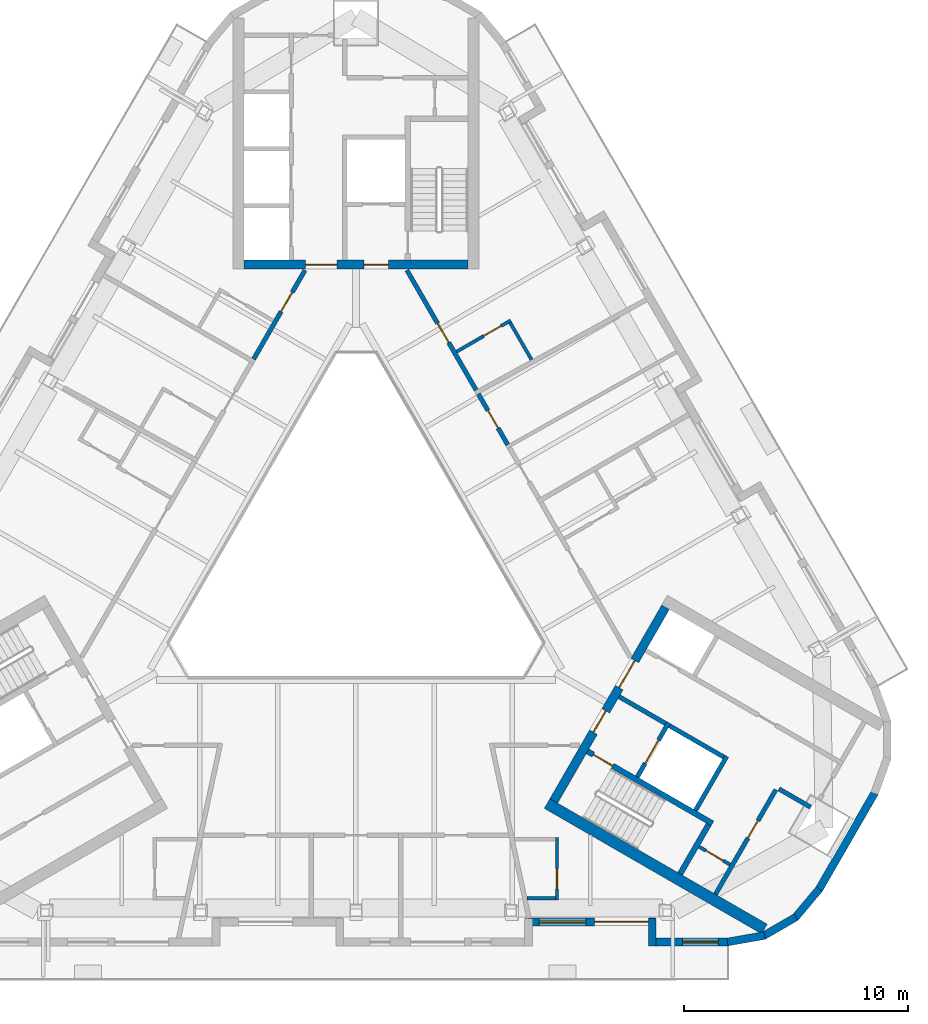
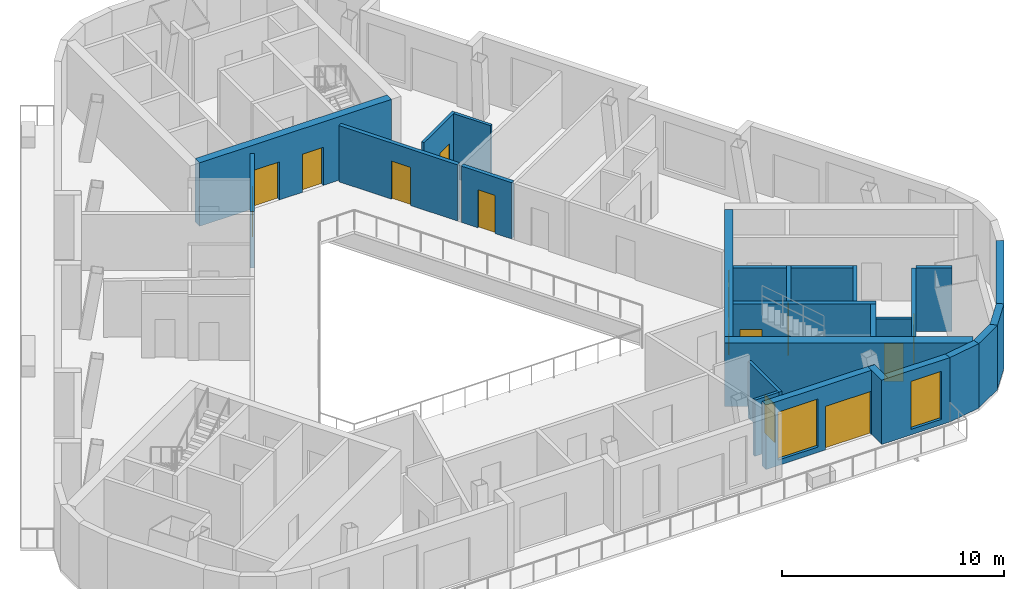
# One storey, part 5 of 13: 26 walls, 14 doors, 2 windows, 16 openings.
"""IFC4 building model written with IfcOpenShell, lengths in metres."""

from ifc_helpers import new_model, si_unit, direction, frame, frame_2d, origin, place, context, subcontext, project, spatial, rectangle, extrude, material, layer, layer_set, type_object, element, fill, save


model = new_model("IFC4")

# Units and contexts
model_context = context("Model", 3, precision=1e-05, world=origin(), true_north=direction((0.0, 1.0)))
body_context = subcontext(model_context, "Body", "Model", "MODEL_VIEW")
ifc_project = project(units=[si_unit("LENGTHUNIT", "METRE"), si_unit("AREAUNIT", "SQUARE_METRE"), si_unit("VOLUMEUNIT", "CUBIC_METRE"), si_unit("PLANEANGLEUNIT", "RADIAN"), si_unit("MASSUNIT", "GRAM", prefix="KILO")], contexts=[model_context])

# Site, building, storey
site_placement = place(None, origin())
site = spatial("IfcSite", under=ifc_project, at=site_placement, CompositionType="ELEMENT")
building_placement = place(site_placement, origin())
building = spatial("IfcBuilding", under=site, at=building_placement, Name="Apuvela Tower Hotel", CompositionType="ELEMENT")
storey_placement = place(building_placement, frame((0.0, 0.0, 298.5)))
storey = spatial("IfcBuildingStorey", under=building, at=storey_placement, Name="L74", CompositionType="ELEMENT", Elevation=298.5)

# Wall, openings, doors
ifc_material_1 = material(Name="Concrete C50/60", Category="concrete")
ifc_layer_1 = layer(ifc_material_1, 0.39990234375)
ifc_layer_set_1 = layer_set([ifc_layer_1], Name="COR-WALL-CORE-400")
wall_type_1 = type_object("IfcWallType", Name="COR-WALL-CORE-400", PredefinedType="SHEAR", material=ifc_layer_set_1)
wall_1_placement = place(storey_placement, frame((5.0, 13.10009765625, 0.0), z_axis=(0.0, 0.0, 1.0), x_axis=(-1.0, 0.0, 0.0)))
wall_1 = element("IfcWall", 1, at=wall_1_placement, inside=storey, type_object=wall_type_1, Name="Core wall N", PredefinedType="SHEAR", context=body_context, shape_type="SweptSolid", body=[
    extrude(rectangle(XDim=10.0, YDim=0.39990234375, at=frame_2d((5.0, 0.0))), origin(), (0.0, 0.0, 1.0), 3.5),
])
opening_1_placement = place(wall_1_placement, frame((3.550048828125, 0.0, 0.0)))
opening_1 = element("IfcOpeningElement", 2, at=opening_1_placement, cuts=wall_1, Name="Opening N-FD", PredefinedType="OPENING", context=body_context, shape_type="SweptSolid", body=[
    extrude(rectangle(XDim=1.10009765625, YDim=2.10009765625, at=frame_2d((0.550048828125, 1.050048828125))), frame((0.0, 0.2099609375, 0.0), z_axis=(0.0, -1.0, 0.0), x_axis=(1.0, 0.0, 0.0)), (0.0, 0.0, 1.0), 0.419921875),
])
opening_2_placement = place(wall_1_placement, frame((5.85009765625, 0.0, 0.0)))
opening_2 = element("IfcOpeningElement", 3, at=opening_2_placement, cuts=wall_1, Name="Opening N-GD", PredefinedType="OPENING", context=body_context, shape_type="SweptSolid", body=[
    extrude(rectangle(XDim=1.39990234375, YDim=2.10009765625, at=frame_2d((0.699951171875, 1.050048828125))), frame((0.0, 0.2099609375, 0.0), z_axis=(0.0, -1.0, 0.0), x_axis=(1.0, 0.0, 0.0)), (0.0, 0.0, 1.0), 0.419921875),
])
ifc_material_2 = material(Name="Steel fire door, powder coated", Category="steel")
door_type_1 = type_object("IfcDoorType", Name="COR-FD-1100", OperationType="NOTDEFINED", PredefinedType="DOOR", material=ifc_material_2)
door_1_placement = place(opening_1_placement, frame((1.10009765625, 0.0, 0.0), z_axis=(0.0, 0.0, 1.0), x_axis=(-1.0, 0.0, 0.0)))
door_1 = element("IfcDoor", 4, at=door_1_placement, inside=storey, type_object=door_type_1, Name="Firefighting lobby door N-FD", OperationType="SINGLE_SWING_LEFT", OverallHeight=2.10009765625, OverallWidth=1.10009765625, PredefinedType="DOOR", context=body_context, shape_type="SweptSolid", body=[
    extrude(rectangle(XDim=1.10009765625, YDim=2.10009765625, at=frame_2d((0.550048828125, 1.050048828125))), frame((0.0, 0.02490234375, 0.0), z_axis=(0.0, -1.0, 0.0), x_axis=(1.0, 0.0, 0.0)), (0.0, 0.0, 1.0), 0.050048828125),
])
fill(opening_1, door_1)
ifc_material_3 = material(Name="Glazed steel fire door", Category="steel")
door_type_2 = type_object("IfcDoorType", Name="COR-GD-1400", OperationType="DOUBLE_DOOR_SINGLE_SWING", PredefinedType="DOOR", material=ifc_material_3)
door_2_placement = place(opening_2_placement, frame((1.39990234375, 0.0, 0.0), z_axis=(0.0, 0.0, 1.0), x_axis=(-1.0, 0.0, 0.0)))
door_2 = element("IfcDoor", 5, at=door_2_placement, inside=storey, type_object=door_type_2, Name="Lift lobby door N-GD", OperationType="DOUBLE_DOOR_SINGLE_SWING", OverallHeight=2.10009765625, OverallWidth=1.39990234375, PredefinedType="DOOR", context=body_context, shape_type="SweptSolid", body=[
    extrude(rectangle(XDim=1.39990234375, YDim=2.10009765625, at=frame_2d((0.699951171875, 1.050048828125))), frame((0.0, 0.02490234375, 0.0), z_axis=(0.0, -1.0, 0.0), x_axis=(1.0, 0.0, 0.0)), (0.0, 0.0, 1.0), 0.050048828125),
])
fill(opening_2, door_2)

wall_2_placement = place(storey_placement, frame((8.844970703125, -10.880126953125, 0.0), z_axis=(0.0, 0.0, 1.0), x_axis=(0.500004234368, 0.866022959057, 0.0)))
wall_2 = element("IfcWall", 6, at=wall_2_placement, inside=storey, type_object=wall_type_1, Name="Core wall SE", PredefinedType="SHEAR", context=body_context, shape_type="SweptSolid", body=[
    extrude(rectangle(XDim=10.0, YDim=0.39990234375, at=frame_2d((5.0, 0.0))), origin(), (0.0, 0.0, 1.0), 3.5),
])
opening_3_placement = place(wall_2_placement, frame((3.550048828125, 0.0, 0.0)))
opening_3 = element("IfcOpeningElement", 7, at=opening_3_placement, cuts=wall_2, Name="Opening E-FD", PredefinedType="OPENING", context=body_context, shape_type="SweptSolid", body=[
    extrude(rectangle(XDim=1.10009765625, YDim=2.10009765625, at=frame_2d((0.550048828125, 1.050048828125))), frame((0.0, 0.2099609375, 0.0), z_axis=(0.0, -1.0, 0.0), x_axis=(1.0, 0.0, 0.0)), (0.0, 0.0, 1.0), 0.419921875),
])
opening_4_placement = place(wall_2_placement, frame((5.85009765625, 0.0, 0.0)))
opening_4 = element("IfcOpeningElement", 8, at=opening_4_placement, cuts=wall_2, Name="Opening E-GD", PredefinedType="OPENING", context=body_context, shape_type="SweptSolid", body=[
    extrude(rectangle(XDim=1.39990234375, YDim=2.10009765625, at=frame_2d((0.699951171875, 1.050048828125))), frame((0.0, 0.2099609375, 0.0), z_axis=(0.0, -1.0, 0.0), x_axis=(1.0, 0.0, 0.0)), (0.0, 0.0, 1.0), 0.419921875),
])
door_3_placement = place(opening_3_placement, frame((1.10009765625, 0.0, 0.0), z_axis=(0.0, 0.0, 1.0), x_axis=(-1.0, 0.0, 0.0)))
door_3 = element("IfcDoor", 9, at=door_3_placement, inside=storey, type_object=door_type_1, Name="Firefighting lobby door E-FD", OperationType="SINGLE_SWING_LEFT", OverallHeight=2.10009765625, OverallWidth=1.10009765625, PredefinedType="DOOR", context=body_context, shape_type="SweptSolid", body=[
    extrude(rectangle(XDim=1.10009765625, YDim=2.10009765625, at=frame_2d((0.550048828125, 1.050048828125))), frame((0.0, 0.02490234375, 0.0), z_axis=(0.0, -1.0, 0.0), x_axis=(1.0, 0.0, 0.0)), (0.0, 0.0, 1.0), 0.050048828125),
])
fill(opening_3, door_3)
door_4_placement = place(opening_4_placement, frame((1.39990234375, 0.0, 0.0), z_axis=(0.0, 0.0, 1.0), x_axis=(-1.0, 0.0, 0.0)))
door_4 = element("IfcDoor", 10, at=door_4_placement, inside=storey, type_object=door_type_2, Name="Lift lobby door E-GD", OperationType="DOUBLE_DOOR_SINGLE_SWING", OverallHeight=2.10009765625, OverallWidth=1.39990234375, PredefinedType="DOOR", context=body_context, shape_type="SweptSolid", body=[
    extrude(rectangle(XDim=1.39990234375, YDim=2.10009765625, at=frame_2d((0.699951171875, 1.050048828125))), frame((0.0, 0.02490234375, 0.0), z_axis=(0.0, -1.0, 0.0), x_axis=(1.0, 0.0, 0.0)), (0.0, 0.0, 1.0), 0.050048828125),
])
fill(opening_4, door_4)

# Wall
ifc_layer_2 = layer(ifc_material_1, 0.5)
ifc_layer_set_2 = layer_set([ifc_layer_2], Name="COR-WALL-CORE-500")
wall_type_2 = type_object("IfcWallType", Name="COR-WALL-CORE-500", PredefinedType="SHEAR", material=ifc_layer_set_2)
wall_3_placement = place(storey_placement, frame((8.546630859375, -10.99658203125, 0.0), z_axis=(0.0, 0.0, 1.0), x_axis=(0.866025449148, -0.499999921427, 0.0)))
element("IfcWall", 11, at=wall_3_placement, inside=storey, type_object=wall_type_2, Name="Core wall SE", PredefinedType="SHEAR", context=body_context, shape_type="SweptSolid", body=[
    extrude(rectangle(XDim=11.2216796875, YDim=0.5, at=frame_2d((5.61083984375, 0.0))), origin(), (0.0, 0.0, 1.0), 3.5),
])

# Wall, opening, door
ifc_material_4 = material(Name="Blockwork 150 mm plastered", Category="masonry")
ifc_layer_3 = layer(ifc_material_4, 0.14990234375)
ifc_layer_set_3 = layer_set([ifc_layer_3], Name="COR-WALL-PART-150")
wall_type_3 = type_object("IfcWallType", Name="COR-WALL-PART-150", PredefinedType="PARTITIONING", material=ifc_layer_set_3)
wall_4_placement = place(storey_placement, frame((15.341552734375, -12.927734375, 0.0), z_axis=(0.0, 0.0, 1.0), x_axis=(0.865989903783, -0.500061482766, 0.0)))
wall_4 = element("IfcWall", 12, at=wall_4_placement, inside=storey, type_object=wall_type_3, Name="Partition SE", PredefinedType="PARTITIONING", context=body_context, shape_type="SweptSolid", body=[
    extrude(rectangle(XDim=1.599853515625, YDim=0.14990234375, at=frame_2d((0.7998046875, 0.0))), origin(), (0.0, 0.0, 1.0), 3.5),
])
opening_5_placement = place(wall_4_placement, frame((0.35009765625, 0.0, 0.0)))
opening_5 = element("IfcOpeningElement", 13, at=opening_5_placement, cuts=wall_4, Name="Opening E-RD", PredefinedType="OPENING", context=body_context, shape_type="SweptSolid", body=[
    extrude(rectangle(XDim=0.89990234375, YDim=2.10009765625, at=frame_2d((0.449951171875, 1.050048828125))), frame((0.0, 0.0849609375, 0.0), z_axis=(0.0, -1.0, 0.0), x_axis=(1.0, 0.0, 0.0)), (0.0, 0.0, 1.0), 0.169921875),
])
ifc_material_5 = material(Name="Steel access door, powder coated", Category="steel")
door_type_3 = type_object("IfcDoorType", Name="COR-RD-900", OperationType="NOTDEFINED", PredefinedType="DOOR", material=ifc_material_5)
door_5_placement = place(opening_5_placement, frame((0.89990234375, 0.0, 0.0), z_axis=(0.0, 0.0, 1.0), x_axis=(-1.0, 0.0, 0.0)))
door_5 = element("IfcDoor", 14, at=door_5_placement, inside=storey, type_object=door_type_3, Name="Riser door E-RD", OperationType="SINGLE_SWING_LEFT", OverallHeight=2.10009765625, OverallWidth=0.89990234375, PredefinedType="DOOR", context=body_context, shape_type="SweptSolid", body=[
    extrude(rectangle(XDim=0.89990234375, YDim=2.10009765625, at=frame_2d((0.449951171875, 1.050048828125))), frame((0.0, 0.02490234375, 0.0), z_axis=(0.0, -1.0, 0.0), x_axis=(1.0, 0.0, 0.0)), (0.0, 0.0, 1.0), 0.050048828125),
])
fill(opening_5, door_5)

ifc_material_6 = material(Name="Blockwork 200 mm plastered", Category="masonry")
ifc_layer_4 = layer(ifc_material_6, 0.199951171875)
ifc_layer_set_4 = layer_set([ifc_layer_4], Name="COR-WALL-PART-200")
wall_type_4 = type_object("IfcWallType", Name="COR-WALL-PART-200", PredefinedType="PARTITIONING", material=ifc_layer_set_4)
wall_5_placement = place(storey_placement, frame((16.076171875, -15.05517578125, 0.0), z_axis=(0.0, 0.0, 1.0), x_axis=(0.499995103361, 0.866028230842, 0.0)))
wall_5 = element("IfcWall", 15, at=wall_5_placement, inside=storey, type_object=wall_type_4, Name="Partition SE", PredefinedType="PARTITIONING", context=body_context, shape_type="SweptSolid", body=[
    extrude(rectangle(XDim=5.39990234375, YDim=0.199951171875, at=frame_2d((2.699951171875, 0.0))), origin(), (0.0, 0.0, 1.0), 3.5),
])
opening_6_placement = place(wall_5_placement, frame((2.89990234375, 0.0, 0.0)))
opening_6 = element("IfcOpeningElement", 16, at=opening_6_placement, cuts=wall_5, Name="Opening E-RS1", PredefinedType="OPENING", context=body_context, shape_type="SweptSolid", body=[
    extrude(rectangle(XDim=0.89990234375, YDim=2.10009765625, at=frame_2d((0.449951171875, 1.050048828125))), frame((0.0, 0.10986328125, 0.0), z_axis=(0.0, -1.0, 0.0), x_axis=(1.0, 0.0, 0.0)), (0.0, 0.0, 1.0), 0.219970703125),
])
door_type_4 = type_object("IfcDoorType", Name="COR-DR-900", OperationType="NOTDEFINED", PredefinedType="DOOR", material=ifc_material_2)
door_6_placement = place(opening_6_placement, frame((0.89990234375, 0.0, 0.0), z_axis=(0.0, 0.0, 1.0), x_axis=(-1.0, 0.0, 0.0)))
door_6 = element("IfcDoor", 17, at=door_6_placement, inside=storey, type_object=door_type_4, Name="Store door E-RS1", OperationType="SINGLE_SWING_LEFT", OverallHeight=2.10009765625, OverallWidth=0.89990234375, PredefinedType="DOOR", context=body_context, shape_type="SweptSolid", body=[
    extrude(rectangle(XDim=0.89990234375, YDim=2.10009765625, at=frame_2d((0.449951171875, 1.050048828125))), frame((0.0, 0.02490234375, 0.0), z_axis=(0.0, -1.0, 0.0), x_axis=(1.0, 0.0, 0.0)), (0.0, 0.0, 1.0), 0.050048828125),
])
fill(opening_6, door_6)

# Wall
ifc_layer_5 = layer(ifc_material_1, 0.199951171875)
ifc_layer_set_5 = layer_set([ifc_layer_5], Name="COR-WALL-SHAFT-200")
wall_type_5 = type_object("IfcWallType", Name="COR-WALL-SHAFT-200", PredefinedType="SHEAR", material=ifc_layer_set_5)
wall_6_placement = place(storey_placement, frame((15.181396484375, -11.305419921875, 0.0), z_axis=(0.0, 0.0, 1.0), x_axis=(0.49994636267, 0.866056369097, 0.0)))
element("IfcWall", 18, at=wall_6_placement, inside=storey, type_object=wall_type_5, Name="Shaft wall SE", PredefinedType="SHEAR", context=body_context, shape_type="SweptSolid", body=[
    extrude(rectangle(XDim=2.800048828125, YDim=0.199951171875, at=frame_2d((1.39990234375, 0.0))), origin(), (0.0, 0.0, 1.0), 3.5),
])

# Wall, opening, door
wall_7_placement = place(storey_placement, frame((12.583251953125, -9.805419921875, 0.0), z_axis=(0.0, 0.0, 1.0), x_axis=(0.49994636267, 0.866056369097, 0.0)))
wall_7 = element("IfcWall", 19, at=wall_7_placement, inside=storey, type_object=wall_type_5, Name="Shaft wall SE", PredefinedType="SHEAR", context=body_context, shape_type="SweptSolid", body=[
    extrude(rectangle(XDim=2.800048828125, YDim=0.199951171875, at=frame_2d((1.39990234375, 0.0))), origin(), (0.0, 0.0, 1.0), 3.5),
])
opening_7_placement = place(wall_7_placement, frame((0.699951171875, 0.0, 0.0)))
opening_7 = element("IfcOpeningElement", 20, at=opening_7_placement, cuts=wall_7, Name="Opening E-LD-FS3", PredefinedType="OPENING", context=body_context, shape_type="SweptSolid", body=[
    extrude(rectangle(XDim=1.199951171875, YDim=2.10009765625, at=frame_2d((0.60009765625, 1.050048828125))), frame((0.0, 0.10986328125, 0.0), z_axis=(0.0, -1.0, 0.0), x_axis=(1.0, 0.0, 0.0)), (0.0, 0.0, 1.0), 0.219970703125),
])
ifc_material_7 = material(Name="Stainless steel lift landing door", Category="steel")
door_type_5 = type_object("IfcDoorType", Name="COR-LD-1200", OperationType="DOUBLE_DOOR_SLIDING", PredefinedType="DOOR", material=ifc_material_7)
door_7_placement = place(opening_7_placement, origin())
door_7 = element("IfcDoor", 21, at=door_7_placement, inside=storey, type_object=door_type_5, Name="Lift landing door E-LD-FS3", OperationType="DOUBLE_DOOR_SLIDING", OverallHeight=2.10009765625, OverallWidth=1.199951171875, PredefinedType="DOOR", context=body_context, shape_type="SweptSolid", body=[
    extrude(rectangle(XDim=1.199951171875, YDim=2.10009765625, at=frame_2d((0.60009765625, 1.050048828125))), frame((0.0, 0.02490234375, 0.0), z_axis=(0.0, -1.0, 0.0), x_axis=(1.0, 0.0, 0.0)), (0.0, 0.0, 1.0), 0.050048828125),
])
fill(opening_7, door_7)

# Walls
wall_8_placement = place(storey_placement, frame((11.76806640625, -6.217041015625, 0.0), z_axis=(0.0, 0.0, 1.0), x_axis=(0.866050077142, -0.499957262057, 0.0)))
element("IfcWall", 22, at=wall_8_placement, inside=storey, type_object=wall_type_5, Name="Shaft wall SE", PredefinedType="SHEAR", context=body_context, shape_type="SweptSolid", body=[
    extrude(rectangle(XDim=2.400146484375, YDim=0.199951171875, at=frame_2d((1.2001953125, 0.0))), origin(), (0.0, 0.0, 1.0), 3.5),
])
wall_9_placement = place(storey_placement, frame((14.019775390625, -7.51708984375, 0.0), z_axis=(0.0, 0.0, 1.0), x_axis=(0.866034573852, -0.49998411664, 0.0)))
element("IfcWall", 23, at=wall_9_placement, inside=storey, type_object=wall_type_5, Name="Shaft wall SE", PredefinedType="SHEAR", context=body_context, shape_type="SweptSolid", body=[
    extrude(rectangle(XDim=2.7998046875, YDim=0.199951171875, at=frame_2d((1.39990234375, 0.0))), origin(), (0.0, 0.0, 1.0), 3.5),
])
wall_10_placement = place(storey_placement, frame((18.912841796875, -10.342041015625, 0.0), z_axis=(0.0, 0.0, 1.0), x_axis=(0.866053003207, -0.499952193351, 0.0)))
element("IfcWall", 24, at=wall_10_placement, inside=storey, type_object=wall_type_5, Name="Shaft wall SE", PredefinedType="SHEAR", context=body_context, shape_type="SweptSolid", body=[
    extrude(rectangle(XDim=1.625244140625, YDim=0.199951171875, at=frame_2d((0.8125, 0.0))), origin(), (0.0, 0.0, 1.0), 3.5),
])

# Wall, opening, door
ifc_layer_6 = layer(ifc_material_1, 0.25)
ifc_layer_set_6 = layer_set([ifc_layer_6], Name="COR-WALL-STAIR-250")
wall_type_6 = type_object("IfcWallType", Name="COR-WALL-STAIR-250", PredefinedType="SHEAR", material=ifc_layer_set_6)
wall_11_placement = place(storey_placement, frame((10.355712890625, -8.66357421875, 0.0), z_axis=(0.0, 0.0, 1.0), x_axis=(0.866028629588, -0.499994412703, 0.0)))
wall_11 = element("IfcWall", 25, at=wall_11_placement, inside=storey, type_object=wall_type_6, Name="Stair wall SE", PredefinedType="SHEAR", context=body_context, shape_type="SweptSolid", body=[
    extrude(rectangle(XDim=6.44970703125, YDim=0.25, at=frame_2d((3.224853515625, 0.0))), origin(), (0.0, 0.0, 1.0), 3.5),
])
opening_8_placement = place(wall_11_placement, frame((0.300048828125, 0.0, 0.0)))
opening_8 = element("IfcOpeningElement", 26, at=opening_8_placement, cuts=wall_11, Name="Opening E-SD", PredefinedType="OPENING", context=body_context, shape_type="SweptSolid", body=[
    extrude(rectangle(XDim=1.0, YDim=2.10009765625, at=frame_2d((0.5, 1.050048828125))), frame((0.0, 0.135009765625, 0.0), z_axis=(0.0, -1.0, 0.0), x_axis=(1.0, 0.0, 0.0)), (0.0, 0.0, 1.0), 0.27001953125),
])
door_type_6 = type_object("IfcDoorType", Name="COR-SD-1000", OperationType="NOTDEFINED", PredefinedType="DOOR", material=ifc_material_2)
door_8_placement = place(opening_8_placement, frame((1.0, 0.0, 0.0), z_axis=(0.0, 0.0, 1.0), x_axis=(-1.0, 0.0, 0.0)))
door_8 = element("IfcDoor", 27, at=door_8_placement, inside=storey, type_object=door_type_6, Name="Stair door E-SD", OperationType="SINGLE_SWING_LEFT", OverallHeight=2.10009765625, OverallWidth=1.0, PredefinedType="DOOR", context=body_context, shape_type="SweptSolid", body=[
    extrude(rectangle(XDim=1.0, YDim=2.10009765625, at=frame_2d((0.5, 1.050048828125))), frame((0.0, 0.02490234375, 0.0), z_axis=(0.0, -1.0, 0.0), x_axis=(1.0, 0.0, 0.0)), (0.0, 0.0, 1.0), 0.050048828125),
])
fill(opening_8, door_8)

# Wall
wall_12_placement = place(storey_placement, frame((14.49560546875, -14.142578125, 0.0), z_axis=(0.0, 0.0, 1.0), x_axis=(0.500062241894, 0.865989465428, 0.0)))
element("IfcWall", 28, at=wall_12_placement, inside=storey, type_object=wall_type_6, Name="Stair wall SE", PredefinedType="SHEAR", context=body_context, shape_type="SweptSolid", body=[
    extrude(rectangle(XDim=2.550048828125, YDim=0.25, at=frame_2d((1.27490234375, 0.0))), origin(), (0.0, 0.0, 1.0), 3.5),
])

# Wall, openings, door, window
ifc_material_8 = material(Name="Concrete C40/50, dark pigmented precast panel", Category="concrete")
ifc_layer_7 = layer(ifc_material_8, 0.35009765625)
ifc_layer_set_7 = layer_set([ifc_layer_7], Name="ENV-WALL-350")
wall_type_7 = type_object("IfcWallType", Name="ENV-WALL-350", PredefinedType="SOLIDWALL", material=ifc_layer_set_7)
wall_13_placement = place(storey_placement, frame((7.567138671875, -16.28662109375, 0.0), z_axis=(0.0, 0.0, 1.0), x_axis=(1.0, 0.0, 0.0)))
wall_13 = element("IfcWall", 29, at=wall_13_placement, inside=storey, type_object=wall_type_7, Name="External wall L74-23", PredefinedType="SOLIDWALL", context=body_context, shape_type="SweptSolid", body=[
    extrude(rectangle(XDim=5.8271484375, YDim=0.35009765625, at=frame_2d((2.91357421875, 0.0))), origin(), (0.0, 0.0, 1.0), 3.550048828125),
])
opening_9_placement = place(wall_13_placement, frame((3.106689453125, 0.0, 0.0)))
opening_9 = element("IfcOpeningElement", 30, at=opening_9_placement, cuts=wall_13, Name="Opening BD24", PredefinedType="OPENING", context=body_context, shape_type="SweptSolid", body=[
    extrude(rectangle(XDim=2.39990234375, YDim=2.39990234375, at=frame_2d((1.199951171875, 1.199951171875))), frame((0.0, 0.18505859375, 0.0), z_axis=(0.0, -1.0, 0.0), x_axis=(1.0, 0.0, 0.0)), (0.0, 0.0, 1.0), 0.3701171875),
])
opening_10_placement = place(wall_13_placement, frame((0.616943359375, 0.0, 0.300048828125)))
opening_10 = element("IfcOpeningElement", 31, at=opening_10_placement, cuts=wall_13, Name="Opening WN21", PredefinedType="OPENING", context=body_context, shape_type="SweptSolid", body=[
    extrude(rectangle(XDim=2.10009765625, YDim=2.64990234375, at=frame_2d((1.050048828125, 1.324951171875))), frame((0.0, 0.18505859375, 0.0), z_axis=(0.0, -1.0, 0.0), x_axis=(1.0, 0.0, 0.0)), (0.0, 0.0, 1.0), 0.3701171875),
])
ifc_material_9 = material(Name="Aluminium 6063-T6, dark bronze anodised frame with dark tinted laminated glass", Category="aluminium")
door_type_7 = type_object("IfcDoorType", Name="ENV-DOOR-BALCONY-2400x2400", OperationType="SLIDING_TO_LEFT", PredefinedType="DOOR", material=ifc_material_9)
door_9_placement = place(opening_9_placement, frame((2.39990234375, 0.0, 0.0), z_axis=(0.0, 0.0, 1.0), x_axis=(-1.0, 0.0, 0.0)))
door_9 = element("IfcDoor", 32, at=door_9_placement, inside=storey, type_object=door_type_7, Name="Balcony door BD24", OperationType="SLIDING_TO_LEFT", OverallHeight=2.39990234375, OverallWidth=2.39990234375, PredefinedType="DOOR", context=body_context, shape_type="SweptSolid", body=[
    extrude(rectangle(XDim=2.39990234375, YDim=2.39990234375, at=frame_2d((1.199951171875, 1.199951171875))), frame((0.0, 0.02490234375, 0.0), z_axis=(0.0, -1.0, 0.0), x_axis=(1.0, 0.0, 0.0)), (0.0, 0.0, 1.0), 0.050048828125),
])
fill(opening_9, door_9)
ifc_material_10 = material(Name="Glass, dark tinted laminated insulated glazing unit", Category="glass")
window_type_1 = type_object("IfcWindowType", Name="ENV-WIN-2100x2650", PartitioningType="SINGLE_PANEL", PredefinedType="WINDOW", material=ifc_material_10)
window_1_placement = place(opening_10_placement, origin())
window_1 = element("IfcWindow", 33, at=window_1_placement, inside=storey, type_object=window_type_1, Name="Window WN21", OverallHeight=2.64990234375, OverallWidth=2.10009765625, PartitioningType="SINGLE_PANEL", PredefinedType="WINDOW", context=body_context, shape_type="SweptSolid", body=[
    extrude(rectangle(XDim=2.10009765625, YDim=2.64990234375, at=frame_2d((1.050048828125, 1.324951171875))), frame((0.0, 0.030029296875, 0.0), z_axis=(0.0, -1.0, 0.0), x_axis=(1.0, 0.0, 0.0)), (0.0, 0.0, 1.0), 0.06005859375),
])
fill(opening_10, window_1)

# Wall
wall_14_placement = place(storey_placement, frame((13.249267578125, -16.1416015625, 0.0), z_axis=(0.0, 0.0, 1.0), x_axis=(0.0, -1.0, 0.0)))
element("IfcWall", 34, at=wall_14_placement, inside=storey, type_object=wall_type_7, Name="External wall L74-24", PredefinedType="SOLIDWALL", context=body_context, shape_type="SweptSolid", body=[
    extrude(rectangle(XDim=1.219970703125, YDim=0.35009765625, at=frame_2d((0.60986328125, 0.0))), origin(), (0.0, 0.0, 1.0), 3.550048828125),
])

# Wall, opening, window
wall_15_placement = place(storey_placement, frame((13.07421875, -17.1865234375, 0.0), z_axis=(0.0, 0.0, 1.0), x_axis=(1.0, 0.0, 0.0)))
wall_15 = element("IfcWall", 35, at=wall_15_placement, inside=storey, type_object=wall_type_7, Name="External wall L74-25", PredefinedType="SOLIDWALL", context=body_context, shape_type="SweptSolid", body=[
    extrude(rectangle(XDim=3.5673828125, YDim=0.35009765625, at=frame_2d((1.78369140625, 0.0))), origin(), (0.0, 0.0, 1.0), 3.550048828125),
])
opening_11_placement = place(wall_15_placement, frame((1.53076171875, 0.0, 0.300048828125)))
opening_11 = element("IfcOpeningElement", 36, at=opening_11_placement, cuts=wall_15, Name="Opening WN16", PredefinedType="OPENING", context=body_context, shape_type="SweptSolid", body=[
    extrude(rectangle(XDim=1.60009765625, YDim=2.64990234375, at=frame_2d((0.800048828125, 1.324951171875))), frame((0.0, 0.18505859375, 0.0), z_axis=(0.0, -1.0, 0.0), x_axis=(1.0, 0.0, 0.0)), (0.0, 0.0, 1.0), 0.3701171875),
])
window_type_2 = type_object("IfcWindowType", Name="ENV-WIN-1600x2650", PartitioningType="SINGLE_PANEL", PredefinedType="WINDOW", material=ifc_material_10)
window_2_placement = place(opening_11_placement, origin())
window_2 = element("IfcWindow", 37, at=window_2_placement, inside=storey, type_object=window_type_2, Name="Window WN16", OverallHeight=2.64990234375, OverallWidth=1.60009765625, PartitioningType="SINGLE_PANEL", PredefinedType="WINDOW", context=body_context, shape_type="SweptSolid", body=[
    extrude(rectangle(XDim=1.60009765625, YDim=2.64990234375, at=frame_2d((0.800048828125, 1.324951171875))), frame((0.0, 0.030029296875, 0.0), z_axis=(0.0, -1.0, 0.0), x_axis=(1.0, 0.0, 0.0)), (0.0, 0.0, 1.0), 0.06005859375),
])
fill(opening_11, window_2)

# Walls
for number, where, z_axis, x_axis, name in (
    (38, (16.611083984375, -17.189208984375, 0.0), (0.0, 0.0, 1.0), (0.984824265658, 0.17355450375, 0.0), "External wall L74-26"),
    (39, (18.2177734375, -16.916748046875, 0.0), (0.0, 0.0, 1.0), (0.866029168372, 0.499993479487, 0.0), "External wall L74-27"),
):
    element("IfcWall", number, at=place(storey_placement, frame(where, z_axis=z_axis, x_axis=x_axis)), inside=storey, type_object=wall_type_7, Name=name, PredefinedType="SOLIDWALL", context=body_context, shape_type="SweptSolid", body=[
        extrude(rectangle(XDim=1.689453125, YDim=0.35009765625, at=frame_2d((0.8447265625, 0.0))), origin(), (0.0, 0.0, 1.0), 3.550048828125),
    ])
wall_16_placement = place(storey_placement, frame((19.634521484375, -16.111083984375, 0.0), z_axis=(0.0, 0.0, 1.0), x_axis=(0.642697100627, 0.766120380127, 0.0)))
element("IfcWall", 40, at=wall_16_placement, inside=storey, type_object=wall_type_7, Name="External wall L74-28", PredefinedType="SOLIDWALL", context=body_context, shape_type="SweptSolid", body=[
    extrude(rectangle(XDim=1.689208984375, YDim=0.35009765625, at=frame_2d((0.8447265625, 0.0))), origin(), (0.0, 0.0, 1.0), 3.550048828125),
])
wall_17_placement = place(storey_placement, frame((20.70263671875, -14.841796875, 0.0), z_axis=(0.0, 0.0, 1.0), x_axis=(0.500016662025, 0.866015783746, 0.0)))
element("IfcWall", 41, at=wall_17_placement, inside=storey, type_object=wall_type_7, Name="External wall L74-29", PredefinedType="SOLIDWALL", context=body_context, shape_type="SweptSolid", body=[
    extrude(rectangle(XDim=5.004150390625, YDim=0.35009765625, at=frame_2d((2.501953125, 0.0))), origin(), (0.0, 0.0, 1.0), 3.550048828125),
])

# Wall, opening, door
ifc_material_11 = material(Name="Gypsum board corridor wall on twin steel stud, acoustic", Category="steel")
ifc_layer_8 = layer(ifc_material_11, 0.199951171875)
ifc_layer_set_8 = layer_set([ifc_layer_8], Name="GST-PW2")
wall_type_8 = type_object("IfcWallType", Name="GST-PW2", PredefinedType="PARTITIONING", material=ifc_layer_set_8)
wall_18_placement = place(storey_placement, frame((5.473388671875, 7.31982421875, 0.0), z_axis=(0.0, 0.0, 1.0), x_axis=(0.500028228617, -0.866009105372, 0.0)))
wall_18 = element("IfcWall", 42, at=wall_18_placement, inside=storey, type_object=wall_type_8, Name="L74 partition 27", PredefinedType="PARTITIONING", context=body_context, shape_type="SweptSolid", body=[
    extrude(rectangle(XDim=2.626220703125, YDim=0.199951171875, at=frame_2d((1.31298828125, 0.0))), origin(), (0.0, 0.0, 1.0), 3.10009765625),
])
opening_12_placement = place(wall_18_placement, frame((0.863037109375, 0.0, 0.0)))
opening_12 = element("IfcOpeningElement", 43, at=opening_12_placement, cuts=wall_18, Name="Opening GD30-12", PredefinedType="OPENING", context=body_context, shape_type="SweptSolid", body=[
    extrude(rectangle(XDim=0.89990234375, YDim=2.10009765625, at=frame_2d((0.449951171875, 1.050048828125))), frame((0.0, 0.10986328125, 0.0), z_axis=(0.0, -1.0, 0.0), x_axis=(1.0, 0.0, 0.0)), (0.0, 0.0, 1.0), 0.219970703125),
])
ifc_material_12 = material(Name="Timber door leaf in steel frame", Category="steel")
door_type_8 = type_object("IfcDoorType", Name="GST-D2", OperationType="NOTDEFINED", PredefinedType="DOOR", material=ifc_material_12)
door_10_placement = place(opening_12_placement, origin())
door_10 = element("IfcDoor", 44, at=door_10_placement, inside=storey, type_object=door_type_8, Name="Door L74-12", OperationType="SINGLE_SWING_RIGHT", OverallHeight=2.10009765625, OverallWidth=0.89990234375, PredefinedType="DOOR", context=body_context, shape_type="SweptSolid", body=[
    extrude(rectangle(XDim=0.89990234375, YDim=2.10009765625, at=frame_2d((0.449951171875, 1.050048828125))), frame((0.0, 0.02490234375, 0.0), z_axis=(0.0, -1.0, 0.0), x_axis=(1.0, 0.0, 0.0)), (0.0, 0.0, 1.0), 0.050048828125),
])
fill(opening_12, door_10)

wall_19_placement = place(storey_placement, frame((2.280517578125, 12.85009765625, 0.0), z_axis=(0.0, 0.0, 1.0), x_axis=(0.499976409294, -0.866039023456, 0.0)))
wall_19 = element("IfcWall", 45, at=wall_19_placement, inside=storey, type_object=wall_type_8, Name="L74 partition 28", PredefinedType="PARTITIONING", context=body_context, shape_type="SweptSolid", body=[
    extrude(rectangle(XDim=6.185791015625, YDim=0.199951171875, at=frame_2d((3.0927734375, 0.0))), origin(), (0.0, 0.0, 1.0), 3.10009765625),
])
opening_13_placement = place(wall_19_placement, frame((2.738037109375, 0.0, 0.0)))
opening_13 = element("IfcOpeningElement", 46, at=opening_13_placement, cuts=wall_19, Name="Opening GD30-14", PredefinedType="OPENING", context=body_context, shape_type="SweptSolid", body=[
    extrude(rectangle(XDim=1.0, YDim=2.10009765625, at=frame_2d((0.5, 1.050048828125))), frame((0.0, 0.10986328125, 0.0), z_axis=(0.0, -1.0, 0.0), x_axis=(1.0, 0.0, 0.0)), (0.0, 0.0, 1.0), 0.219970703125),
])
door_type_9 = type_object("IfcDoorType", Name="GST-D1", OperationType="NOTDEFINED", PredefinedType="DOOR", material=ifc_material_12)
door_11_placement = place(opening_13_placement, origin())
door_11 = element("IfcDoor", 47, at=door_11_placement, inside=storey, type_object=door_type_9, Name="Door L74-14", OperationType="SINGLE_SWING_LEFT", OverallHeight=2.10009765625, OverallWidth=1.0, PredefinedType="DOOR", context=body_context, shape_type="SweptSolid", body=[
    extrude(rectangle(XDim=1.0, YDim=2.10009765625, at=frame_2d((0.5, 1.050048828125))), frame((0.0, 0.02490234375, 0.0), z_axis=(0.0, -1.0, 0.0), x_axis=(1.0, 0.0, 0.0)), (0.0, 0.0, 1.0), 0.050048828125),
])
fill(opening_13, door_11)

wall_20_placement = place(storey_placement, frame((-4.57470703125, 8.87646484375, 0.0), z_axis=(0.0, 0.0, 1.0), x_axis=(0.50000187635, 0.866024320471, 0.0)))
wall_20 = element("IfcWall", 48, at=wall_20_placement, inside=storey, type_object=wall_type_8, Name="L74 partition 31", PredefinedType="PARTITIONING", context=body_context, shape_type="SweptSolid", body=[
    extrude(rectangle(XDim=4.58837890625, YDim=0.199951171875, at=frame_2d((2.294189453125, 0.0))), origin(), (0.0, 0.0, 1.0), 3.10009765625),
])
opening_14_placement = place(wall_20_placement, frame((2.449951171875, 0.0, 0.0)))
opening_14 = element("IfcOpeningElement", 49, at=opening_14_placement, cuts=wall_20, Name="Opening GD30-16", PredefinedType="OPENING", context=body_context, shape_type="SweptSolid", body=[
    extrude(rectangle(XDim=1.0, YDim=2.10009765625, at=frame_2d((0.5, 1.050048828125))), frame((0.0, 0.10986328125, 0.0), z_axis=(0.0, -1.0, 0.0), x_axis=(1.0, 0.0, 0.0)), (0.0, 0.0, 1.0), 0.219970703125),
])
door_12_placement = place(opening_14_placement, origin())
door_12 = element("IfcDoor", 50, at=door_12_placement, inside=storey, type_object=door_type_9, Name="Door L74-16", OperationType="SINGLE_SWING_RIGHT", OverallHeight=2.10009765625, OverallWidth=1.0, PredefinedType="DOOR", context=body_context, shape_type="SweptSolid", body=[
    extrude(rectangle(XDim=1.0, YDim=2.10009765625, at=frame_2d((0.5, 1.050048828125))), frame((0.0, 0.02490234375, 0.0), z_axis=(0.0, -1.0, 0.0), x_axis=(1.0, 0.0, 0.0)), (0.0, 0.0, 1.0), 0.050048828125),
])
fill(opening_14, door_12)

ifc_material_13 = material(Name="Moisture-resistant gypsum board wet wall on steel stud", Category="steel")
ifc_layer_9 = layer(ifc_material_13, 0.14990234375)
ifc_layer_set_9 = layer_set([ifc_layer_9], Name="GST-PW3")
wall_type_9 = type_object("IfcWallType", Name="GST-PW3", PredefinedType="PARTITIONING", material=ifc_layer_set_9)
wall_21_placement = place(storey_placement, frame((8.98974609375, -15.3115234375, 0.0), z_axis=(0.0, 0.0, 1.0), x_axis=(0.0, 1.0, 0.0)))
wall_21 = element("IfcWall", 51, at=wall_21_placement, inside=storey, type_object=wall_type_9, Name="L74 partition 17", PredefinedType="PARTITIONING", context=body_context, shape_type="SweptSolid", body=[
    extrude(rectangle(XDim=2.7998046875, YDim=0.14990234375, at=frame_2d((1.39990234375, 0.0))), origin(), (0.0, 0.0, 1.0), 3.10009765625),
])
opening_15_placement = place(wall_21_placement, frame((0.5, 0.0, 0.0)))
opening_15 = element("IfcOpeningElement", 52, at=opening_15_placement, cuts=wall_21, Name="Opening GD30-06", PredefinedType="OPENING", context=body_context, shape_type="SweptSolid", body=[
    extrude(rectangle(XDim=0.89990234375, YDim=2.10009765625, at=frame_2d((0.449951171875, 1.050048828125))), frame((0.0, 0.0849609375, 0.0), z_axis=(0.0, -1.0, 0.0), x_axis=(1.0, 0.0, 0.0)), (0.0, 0.0, 1.0), 0.169921875),
])
door_13_placement = place(opening_15_placement, origin())
door_13 = element("IfcDoor", 53, at=door_13_placement, inside=storey, type_object=door_type_8, Name="Door L74-06", OperationType="SINGLE_SWING_LEFT", OverallHeight=2.10009765625, OverallWidth=0.89990234375, PredefinedType="DOOR", context=body_context, shape_type="SweptSolid", body=[
    extrude(rectangle(XDim=0.89990234375, YDim=2.10009765625, at=frame_2d((0.449951171875, 1.050048828125))), frame((0.0, 0.02490234375, 0.0), z_axis=(0.0, -1.0, 0.0), x_axis=(1.0, 0.0, 0.0)), (0.0, 0.0, 1.0), 0.050048828125),
])
fill(opening_15, door_13)

# Wall
wall_22_placement = place(storey_placement, frame((7.650634765625, -15.236572265625, 0.0), z_axis=(0.0, 0.0, 1.0), x_axis=(1.0, 0.0, 0.0)))
element("IfcWall", 54, at=wall_22_placement, inside=storey, type_object=wall_type_9, Name="L74 partition 18", PredefinedType="PARTITIONING", context=body_context, shape_type="SweptSolid", body=[
    extrude(rectangle(XDim=1.26416015625, YDim=0.14990234375, at=frame_2d((0.632080078125, 0.0))), origin(), (0.0, 0.0, 1.0), 3.10009765625),
])

# Wall, opening, door
wall_23_placement = place(storey_placement, frame((6.923583984375, 10.60791015625, 0.0), z_axis=(0.0, 0.0, 1.0), x_axis=(-0.866034573852, -0.49998411664, 0.0)))
wall_23 = element("IfcWall", 55, at=wall_23_placement, inside=storey, type_object=wall_type_9, Name="L74 partition 29", PredefinedType="PARTITIONING", context=body_context, shape_type="SweptSolid", body=[
    extrude(rectangle(XDim=2.7998046875, YDim=0.14990234375, at=frame_2d((1.39990234375, 0.0))), origin(), (0.0, 0.0, 1.0), 3.550048828125),
])
opening_16_placement = place(wall_23_placement, frame((0.5, 0.0, 0.0)))
opening_16 = element("IfcOpeningElement", 56, at=opening_16_placement, cuts=wall_23, Name="Opening GD30-13", PredefinedType="OPENING", context=body_context, shape_type="SweptSolid", body=[
    extrude(rectangle(XDim=0.89990234375, YDim=2.10009765625, at=frame_2d((0.449951171875, 1.050048828125))), frame((0.0, 0.0849609375, 0.0), z_axis=(0.0, -1.0, 0.0), x_axis=(1.0, 0.0, 0.0)), (0.0, 0.0, 1.0), 0.169921875),
])
door_14_placement = place(opening_16_placement, origin())
door_14 = element("IfcDoor", 57, at=door_14_placement, inside=storey, type_object=door_type_8, Name="Door L74-13", OperationType="SINGLE_SWING_LEFT", OverallHeight=2.10009765625, OverallWidth=0.89990234375, PredefinedType="DOOR", context=body_context, shape_type="SweptSolid", body=[
    extrude(rectangle(XDim=0.89990234375, YDim=2.10009765625, at=frame_2d((0.449951171875, 1.050048828125))), frame((0.0, 0.02490234375, 0.0), z_axis=(0.0, -1.0, 0.0), x_axis=(1.0, 0.0, 0.0)), (0.0, 0.0, 1.0), 0.050048828125),
])
fill(opening_16, door_14)

# Wall
wall_24_placement = place(storey_placement, frame((7.854248046875, 8.84619140625, 0.0), z_axis=(0.0, 0.0, 1.0), x_axis=(-0.500071685664, 0.865984012091, 0.0)))
element("IfcWall", 58, at=wall_24_placement, inside=storey, type_object=wall_type_9, Name="L74 partition 30", PredefinedType="PARTITIONING", context=body_context, shape_type="SweptSolid", body=[
    extrude(rectangle(XDim=1.916259765625, YDim=0.14990234375, at=frame_2d((0.9580078125, 0.0))), origin(), (0.0, 0.0, 1.0), 3.550048828125),
])

save(model, "model.ifc")
